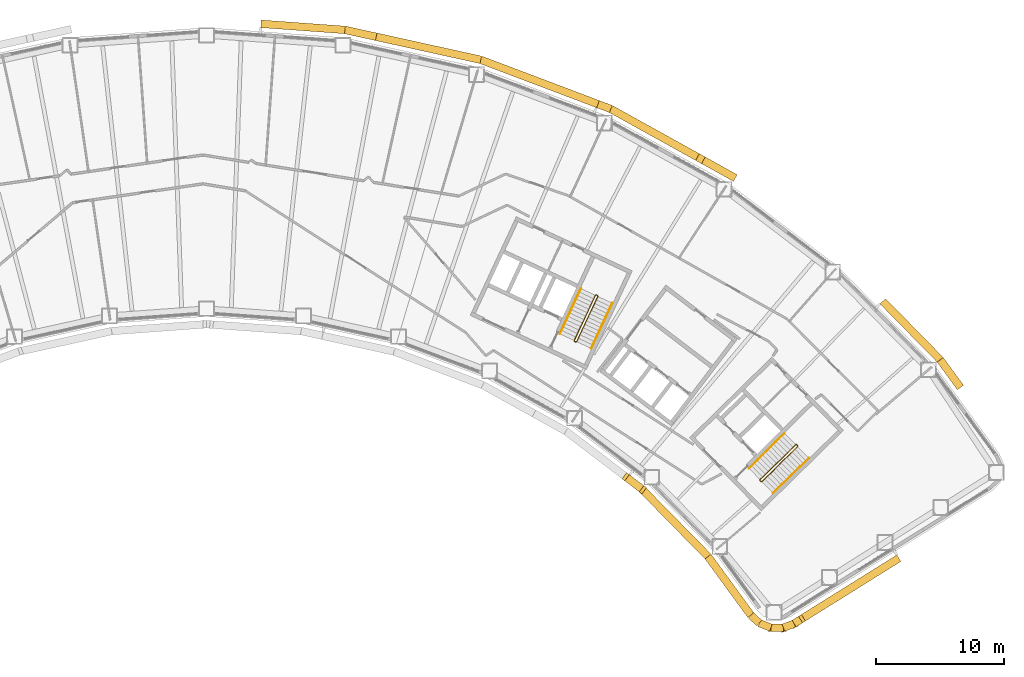
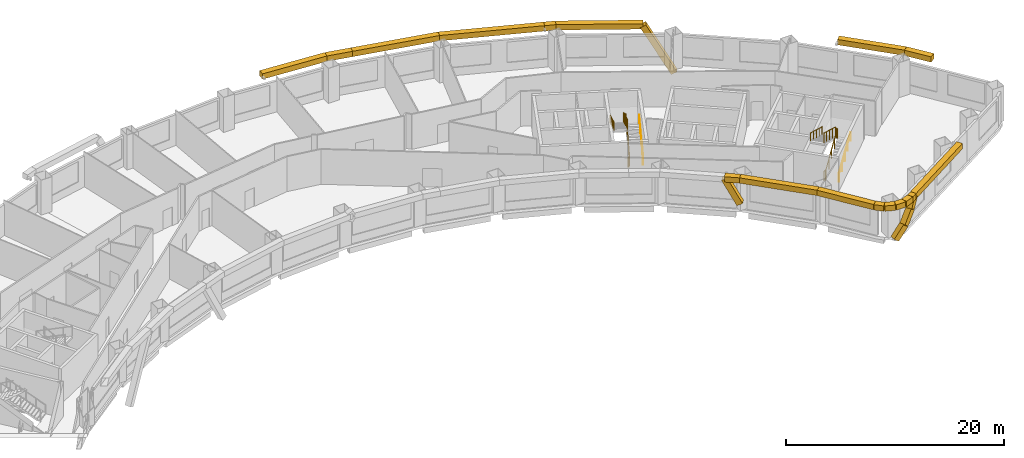
# One storey, part 14 of 15: 22 coverings, 6 railings.
"""IFC4 building model written with IfcOpenShell, lengths in metres."""

import ifcopenshell
import ifcopenshell.guid

model = None  # the IFC model being written
_history = None  # IfcOwnerHistory: only IFC2X3 demands one
_inside = {}  # id of a spatial element -> (the spatial element, [elements in it])
_under = {}  # id of a project, library or spatial element -> (it, [spatial elements below it])
_declared = {}  # id of a project -> (the project, [libraries it declares])
_typed = {}  # id of a type object -> (the type object, [elements of that type])
_made_of = {}  # id of a material, layer set ... -> (it, [elements and type objects made of it])


def new_model(schema):
    """Start an empty IFC model of exactly this schema.

    Asked for "IFC4X3", IfcOpenShell would pick the latest addendum, in which some entities
    have other attributes; the version numbers below select the first issue.
    IFC2X3 requires an IfcOwnerHistory on every rooted entity: one is made here for all.
    """
    global model, _history
    if schema == "IFC4X3":
        model = ifcopenshell.file(schema_version=(4, 3, 0, 0))
    else:
        model = ifcopenshell.file(schema=schema)
    _inside.clear()
    _under.clear()
    _declared.clear()
    _typed.clear()
    _made_of.clear()
    _history = None
    if model.schema == "IFC2X3":
        org = make("IfcOrganization", Name="unknown")
        user = make(
            "IfcPersonAndOrganization",
            ThePerson=make("IfcPerson", FamilyName="unknown"),
            TheOrganization=org,
        )
        app = make(
            "IfcApplication",
            ApplicationDeveloper=org,
            Version="unknown",
            ApplicationFullName="unknown",
            ApplicationIdentifier="unknown",
        )
        _history = make(
            "IfcOwnerHistory",
            OwningUser=user,
            OwningApplication=app,
            ChangeAction="ADDED",
            CreationDate=0,
        )
    return model


def make(cls, **values):
    """One entity of the class cls with the attributes given. An attribute that is None is left unset."""
    return model.create_entity(
        cls, **{name: value for name, value in values.items() if value is not None}
    )


def rooted(cls, **values):
    """An entity with a GlobalId (a new one), such as an element, a storey or a relation."""
    return make(cls, GlobalId=ifcopenshell.guid.new(), OwnerHistory=_history, **values)


def si_unit(unit_type, name, prefix=None):
    """IfcSIUnit, for example si_unit("LENGTHUNIT", "METRE", prefix="MILLI")."""
    return make("IfcSIUnit", UnitType=unit_type, Prefix=prefix, Name=name)


def assignment(units):
    """IfcUnitAssignment: the units of a project."""
    return None if units is None else make("IfcUnitAssignment", Units=units)


def point(xyz):
    """IfcCartesianPoint."""
    return None if xyz is None else make("IfcCartesianPoint", Coordinates=xyz)


def direction(xyz):
    """IfcDirection."""
    return None if xyz is None else make("IfcDirection", DirectionRatios=xyz)


def frame(location, z_axis=None, x_axis=None):
    """IfcAxis2Placement3D, a coordinate frame: its origin and axes. An axis left out is left unset."""
    return make(
        "IfcAxis2Placement3D",
        Location=point(location),
        Axis=direction(z_axis),
        RefDirection=direction(x_axis),
    )


def frame_2d(location, x_axis=None):
    """IfcAxis2Placement2D, a coordinate frame in the plane: its origin and x axis."""
    return make(
        "IfcAxis2Placement2D", Location=point(location), RefDirection=direction(x_axis)
    )


def origin():
    """The frame at (0, 0, 0) with its axes left unset."""
    return frame((0.0, 0.0, 0.0))


def origin_2d():
    """The frame at (0, 0) in the plane with its x axis left unset."""
    return frame_2d((0.0, 0.0))


def place(relative_to, where):
    """IfcLocalPlacement: puts the frame where relative to a parent placement (None: the world)."""
    return make(
        "IfcLocalPlacement", PlacementRelTo=relative_to, RelativePlacement=where
    )


def context(
    kind, dimensions, precision=None, world=None, true_north=None, identifier=None
):
    """IfcGeometricRepresentationContext, for example the 3D "Model" context."""
    return make(
        "IfcGeometricRepresentationContext",
        ContextIdentifier=identifier,
        ContextType=kind,
        CoordinateSpaceDimension=dimensions,
        Precision=precision,
        WorldCoordinateSystem=world,
        TrueNorth=true_north,
    )


def subcontext(parent, identifier, kind, view, scale=None):
    """IfcGeometricRepresentationSubContext, for example "Body" below "Model"."""
    return make(
        "IfcGeometricRepresentationSubContext",
        ContextIdentifier=identifier,
        ContextType=kind,
        ParentContext=parent,
        TargetScale=scale,
        TargetView=view,
    )


def project(units=None, contexts=None):
    """IfcProject with its units and contexts."""
    return rooted(
        "IfcProject",
        Name="project",
        RepresentationContexts=contexts,
        UnitsInContext=assignment(units),
    )


def spatial(cls, under=None, at=None, **own):
    """A site, building, storey or space (cls), placed at a placement, below another one or the project."""
    s = rooted(cls, ObjectPlacement=at, **own)
    if under is not None:
        _under.setdefault(under.id(), (under, []))[1].append(s)
    return s


def profile(cls, at=None, kind="AREA", **sizes):
    """A parametric profile (cls). Its sizes go by their IFC names, for example OverallWidth=200.0."""
    return make(cls, ProfileType=kind, Position=at, **sizes)


def rectangle(**sizes):
    """IfcRectangleProfileDef."""
    return profile("IfcRectangleProfileDef", **sizes)


def circle(**sizes):
    """IfcCircleProfileDef."""
    return profile("IfcCircleProfileDef", **sizes)


def extrude(swept, where, along, depth):
    """IfcExtrudedAreaSolid: the profile swept, set in the frame where, extruded along a direction by depth."""
    return make(
        "IfcExtrudedAreaSolid",
        SweptArea=swept,
        Position=where,
        ExtrudedDirection=direction(along),
        Depth=depth,
    )


def shape(context_of_items, identifier, shape_type, items):
    """IfcShapeRepresentation: the items that make up one representation, for example the "Body"."""
    return make(
        "IfcShapeRepresentation",
        ContextOfItems=context_of_items,
        RepresentationIdentifier=identifier,
        RepresentationType=shape_type,
        Items=items,
    )


def material(Name=None, Category=None):
    """IfcMaterial."""
    return make("IfcMaterial", Name=Name, Category=Category)


def material_profile(
    of_material, cross_section, Name=None, Category=None, Priority=None
):
    """IfcMaterialProfile: a cross section and its material."""
    return make(
        "IfcMaterialProfile",
        Name=Name,
        Material=of_material,
        Profile=cross_section,
        Priority=Priority,
        Category=Category,
    )


def profile_set(profiles, Name=None, composite=None):
    """IfcMaterialProfileSet."""
    return make(
        "IfcMaterialProfileSet",
        Name=Name,
        MaterialProfiles=profiles,
        CompositeProfile=composite,
    )


def made_of(thing, what):
    """Note that an element or type object is made of a material, layer set ...; save() writes the relation."""
    if what is not None:
        _made_of.setdefault(what.id(), (what, []))[1].append(thing)
    return thing


def type_object(cls, material=None, **own):
    """A type object (cls), such as IfcWallType, which elements share."""
    return made_of(rooted(cls, **own), material)


def element(
    cls,
    number,
    at=None,
    inside=None,
    cuts=None,
    type_object=None,
    material=None,
    context=None,
    identifier="Body",
    shape_type=None,
    held_by="IfcProductDefinitionShape",
    body=None,
    shapes=None,
    **own,
):
    """One element of the class cls, such as IfcWall. Its Tag is "e" and its number.

    at: its placement. inside: the storey or other place that contains it. cuts: it is an
    opening in that element (IfcRelVoidsElement). A single representation is given by context,
    identifier, shape_type and body (its items); several are given by shapes. held_by: the class
    of the entity that holds the representations. save() writes the other relations.
    """
    e = rooted(cls, Tag="e%d" % number, ObjectPlacement=at, **own)
    if body is not None:
        shapes = [shape(context, identifier, shape_type, body)]
    if shapes is not None:
        e.Representation = make(held_by, Representations=shapes)
    if inside is not None:
        _inside.setdefault(inside.id(), (inside, []))[1].append(e)
    if cuts is not None:
        rooted(
            "IfcRelVoidsElement", RelatingBuildingElement=cuts, RelatedOpeningElement=e
        )
    if type_object is not None:
        _typed.setdefault(type_object.id(), (type_object, []))[1].append(e)
    return made_of(e, material)


def aggregate(whole, parts):
    """IfcRelAggregates: a whole, such as a stair, and the parts it consists of."""
    return rooted("IfcRelAggregates", RelatingObject=whole, RelatedObjects=parts)


def save(model, path):
    """Write the relations noted so far, then the file.

    IfcRelAggregates (storeys below a building ...), IfcRelContainedInSpatialStructure (elements
    in a storey), IfcRelDefinesByType, IfcRelAssociatesMaterial and IfcRelDeclares: one each for
    every whole, place, type object, material and project.
    """
    for whole, parts in _under.values():
        aggregate(whole, parts)
    for where, things in _inside.values():
        rooted(
            "IfcRelContainedInSpatialStructure",
            RelatedElements=things,
            RelatingStructure=where,
        )
    for kind, things in _typed.values():
        rooted("IfcRelDefinesByType", RelatedObjects=things, RelatingType=kind)
    for what, things in _made_of.values():
        rooted("IfcRelAssociatesMaterial", RelatedObjects=things, RelatingMaterial=what)
    for by, libraries in _declared.values():
        rooted("IfcRelDeclares", RelatingContext=by, RelatedDefinitions=libraries)
    model.write(path)


model = new_model("IFC4")

# Units and contexts
model_context = context("Model", 3, precision=1e-05, world=origin(), true_north=direction((0.0, 1.0)))
body_context = subcontext(model_context, "Body", "Model", "MODEL_VIEW")
ifc_project = project(units=[si_unit("LENGTHUNIT", "METRE"), si_unit("AREAUNIT", "SQUARE_METRE"), si_unit("VOLUMEUNIT", "CUBIC_METRE"), si_unit("PLANEANGLEUNIT", "RADIAN"), si_unit("MASSUNIT", "GRAM", prefix="KILO")], contexts=[model_context])

# Site, building, storey
site_placement = place(None, origin())
site = spatial("IfcSite", under=ifc_project, at=site_placement, CompositionType="ELEMENT")
building_placement = place(site_placement, origin())
building = spatial("IfcBuilding", under=site, at=building_placement, Name="Tuul Gate Civic Tower", CompositionType="ELEMENT")
storey_placement = place(building_placement, frame((0.0, 0.0, 78.0)))
storey = spatial("IfcBuildingStorey", under=building, at=storey_placement, Name="Level 17", CompositionType="ELEMENT", Elevation=78.0)

# Railings
ifc_material_1 = material(Name="Painted steel", Category="steel")
railing_type_1 = type_object("IfcRailingType", Name="Stair guard", PredefinedType="GUARDRAIL", material=ifc_material_1)
railing_1_placement = place(storey_placement, frame((48.10546875, -16.134765625, 0.0)))
element("IfcRailing", 1, at=railing_1_placement, inside=storey, type_object=railing_type_1, Name="Level 17 ST-3 stair guard 1", PredefinedType="GUARDRAIL", context=body_context, shape_type="SweptSolid", body=[
    extrude(circle(Radius=0.02392578125, at=origin_2d()), frame((0.0, 0.0, 1.076171875), z_axis=(-0.698506948293, 0.715603272202, 0.0), x_axis=(-0.715603272202, -0.698506948293, 0.0)), (0.0, 0.0, 1.0), 0.099853515625),
    extrude(circle(Radius=0.02392578125, at=origin_2d()), frame((-0.06982421875, 0.071533203125, 1.076171875), z_axis=(0.645446321009, -0.331687692741, 0.688027849131), x_axis=(0.457068866502, 0.889431307788, 0.0)), (0.0, 0.0, 1.0), 0.2177734375),
    extrude(circle(Radius=0.02392578125, at=origin_2d()), frame((0.07080078125, -0.000732421875, 1.22607421875), z_axis=(0.638715268259, 0.626117886127, 0.447235059857), x_axis=(-0.700029477518, 0.714113947914, 0.0)), (0.0, 0.0, 1.0), 4.360595703125),
    extrude(circle(Radius=0.02392578125, at=origin_2d()), frame((2.85595703125, 2.7294921875, 3.17626953125), z_axis=(0.010380063588, 0.999946125689, 0.0), x_axis=(-0.999946125689, 0.010380063588, 0.0)), (0.0, 0.0, 1.0), 0.070556640625),
    extrude(circle(Radius=0.02392578125, at=origin_2d()), frame((2.856689453125, 2.800048828125, 3.17626953125), z_axis=(-0.699754442181, 0.714383454909, 0.0), x_axis=(-0.714383454909, -0.699754442181, 0.0)), (0.0, 0.0, 1.0), 0.10009765625),
    extrude(circle(Radius=0.02392578125, at=origin_2d()), frame((2.78662109375, 2.87158203125, 3.17626953125), z_axis=(-0.427069033481, 0.004417955519, 0.904208229508), x_axis=(-0.010344274102, -0.999946496565, 0.0)), (0.0, 0.0, 1.0), 0.165771484375),
    extrude(circle(Radius=0.02392578125, at=origin_2d()), frame((2.7158203125, 2.872314453125, 3.326171875), z_axis=(-0.638731261263, -0.626133563701, 0.447190268558), x_axis=(0.700029477518, -0.714113947914, 0.0)), (0.0, 0.0, 1.0), 4.3603515625),
    extrude(circle(Radius=0.02099609375, at=origin_2d()), origin(), (0.0, 0.0, 1.0), 1.052001953125),
    extrude(circle(Radius=0.02099609375, at=origin_2d()), frame((-0.06982421875, 0.071533203125, 0.0)), (0.0, 0.0, 1.0), 1.052001953125),
    extrude(circle(Radius=0.02099609375, at=origin_2d()), frame((0.07080078125, -0.000732421875, 0.14990234375)), (0.0, 0.0, 1.0), 1.052001953125),
    extrude(circle(Radius=0.02099609375, at=origin_2d()), frame((0.76708984375, 0.681884765625, 0.637451171875)), (0.0, 0.0, 1.0), 1.052001953125),
    extrude(circle(Radius=0.02099609375, at=origin_2d()), frame((1.46337890625, 1.3642578125, 1.125)), (0.0, 0.0, 1.0), 1.052001953125),
    extrude(circle(Radius=0.02099609375, at=origin_2d()), frame((2.15966796875, 2.046875, 1.612548828125)), (0.0, 0.0, 1.0), 1.052001953125),
    extrude(circle(Radius=0.02099609375, at=origin_2d()), frame((2.85595703125, 2.7294921875, 2.10009765625)), (0.0, 0.0, 1.0), 1.052001953125),
    extrude(circle(Radius=0.02099609375, at=origin_2d()), frame((2.856689453125, 2.800048828125, 2.10009765625)), (0.0, 0.0, 1.0), 1.052001953125),
    extrude(circle(Radius=0.02099609375, at=origin_2d()), frame((2.78662109375, 2.87158203125, 2.10009765625)), (0.0, 0.0, 1.0), 1.052001953125),
    extrude(circle(Radius=0.02099609375, at=origin_2d()), frame((2.7158203125, 2.872314453125, 2.25)), (0.0, 0.0, 1.0), 1.052001953125),
    extrude(circle(Radius=0.02099609375, at=origin_2d()), frame((2.01953125, 2.189697265625, 2.737548828125)), (0.0, 0.0, 1.0), 1.052001953125),
    extrude(circle(Radius=0.02099609375, at=origin_2d()), frame((1.3232421875, 1.50732421875, 3.22509765625)), (0.0, 0.0, 1.0), 1.052001953125),
    extrude(circle(Radius=0.02099609375, at=origin_2d()), frame((0.626953125, 0.82470703125, 3.71240234375)), (0.0, 0.0, 1.0), 1.052001953125),
    extrude(circle(Radius=0.02099609375, at=origin_2d()), frame((-0.0693359375, 0.14208984375, 4.199951171875)), (0.0, 0.0, 1.0), 1.052001953125),
])
railing_2_placement = place(storey_placement, frame((33.645751953125, -5.238525390625, 0.0)))
element("IfcRailing", 2, at=railing_2_placement, inside=storey, type_object=railing_type_1, Name="Level 17 ST-4 stair guard 1", PredefinedType="GUARDRAIL", context=body_context, shape_type="SweptSolid", body=[
    extrude(circle(Radius=0.02392578125, at=origin_2d()), frame((0.0, 0.0, 1.076171875), z_axis=(-0.906307919131, 0.422617978463, 0.0), x_axis=(-0.422617978463, -0.906307919131, 0.0)), (0.0, 0.0, 1.0), 0.099853515625),
    extrude(circle(Radius=0.02392578125, at=origin_2d()), frame((-0.090576171875, 0.042236328125, 1.076171875), z_axis=(0.720735628292, -0.082946246491, 0.688229666829), x_axis=(0.114330889033, 0.993442724979, 0.0)), (0.0, 0.0, 1.0), 0.2177734375),
    extrude(circle(Radius=0.02392578125, at=origin_2d()), frame((0.06640625, 0.024169921875, 1.22607421875), z_axis=(0.377937439636, 0.810633814971, 0.447253965602), x_axis=(-0.906336612539, 0.422556439746, 0.0)), (0.0, 0.0, 1.0), 4.3603515625),
    extrude(circle(Radius=0.02392578125, at=origin_2d()), frame((1.71435546875, 3.558837890625, 3.17626953125), z_axis=(-0.342020437038, 0.939692513883, 0.0), x_axis=(-0.939692513883, -0.342020437038, 0.0)), (0.0, 0.0, 1.0), 0.070556640625),
    extrude(circle(Radius=0.02392578125, at=origin_2d()), frame((1.690185546875, 3.625244140625, 3.17626953125), z_axis=(-0.906307919131, 0.422617978463, 0.0), x_axis=(-0.422617978463, -0.906307919131, 0.0)), (0.0, 0.0, 1.0), 0.099853515625),
    extrude(circle(Radius=0.02392578125, at=origin_2d()), frame((1.599609375, 3.66748046875, 3.17626953125), z_axis=(-0.40070210376, -0.145843780413, 0.904526072458), x_axis=(0.342020437038, -0.939692513883, 0.0)), (0.0, 0.0, 1.0), 0.165771484375),
    extrude(circle(Radius=0.02392578125, at=origin_2d()), frame((1.533203125, 3.643310546875, 3.326171875), z_axis=(-0.377946903738, -0.810654114417, 0.447209173356), x_axis=(0.906336612539, -0.422556439746, 0.0)), (0.0, 0.0, 1.0), 4.3603515625),
    extrude(circle(Radius=0.02099609375, at=origin_2d()), origin(), (0.0, 0.0, 1.0), 1.052001953125),
    extrude(circle(Radius=0.02099609375, at=origin_2d()), frame((-0.090576171875, 0.042236328125, 0.0)), (0.0, 0.0, 1.0), 1.052001953125),
    extrude(circle(Radius=0.02099609375, at=origin_2d()), frame((0.06640625, 0.024169921875, 0.14990234375)), (0.0, 0.0, 1.0), 1.052001953125),
    extrude(circle(Radius=0.02099609375, at=origin_2d()), frame((0.478515625, 0.90771484375, 0.637451171875)), (0.0, 0.0, 1.0), 1.052001953125),
    extrude(circle(Radius=0.02099609375, at=origin_2d()), frame((0.890380859375, 1.79150390625, 1.125)), (0.0, 0.0, 1.0), 1.052001953125),
    extrude(circle(Radius=0.02099609375, at=origin_2d()), frame((1.30224609375, 2.67529296875, 1.612548828125)), (0.0, 0.0, 1.0), 1.052001953125),
    extrude(circle(Radius=0.02099609375, at=origin_2d()), frame((1.71435546875, 3.558837890625, 2.10009765625)), (0.0, 0.0, 1.0), 1.052001953125),
    extrude(circle(Radius=0.02099609375, at=origin_2d()), frame((1.690185546875, 3.625244140625, 2.10009765625)), (0.0, 0.0, 1.0), 1.052001953125),
    extrude(circle(Radius=0.02099609375, at=origin_2d()), frame((1.599609375, 3.66748046875, 2.10009765625)), (0.0, 0.0, 1.0), 1.052001953125),
    extrude(circle(Radius=0.02099609375, at=origin_2d()), frame((1.533203125, 3.643310546875, 2.25)), (0.0, 0.0, 1.0), 1.052001953125),
    extrude(circle(Radius=0.02099609375, at=origin_2d()), frame((1.12109375, 2.759765625, 2.737548828125)), (0.0, 0.0, 1.0), 1.052001953125),
    extrude(circle(Radius=0.02099609375, at=origin_2d()), frame((0.709228515625, 1.8759765625, 3.22509765625)), (0.0, 0.0, 1.0), 1.052001953125),
    extrude(circle(Radius=0.02099609375, at=origin_2d()), frame((0.29736328125, 0.9921875, 3.71240234375)), (0.0, 0.0, 1.0), 1.052001953125),
    extrude(circle(Radius=0.02099609375, at=origin_2d()), frame((-0.11474609375, 0.108642578125, 4.199951171875)), (0.0, 0.0, 1.0), 1.052001953125),
])
ifc_material_2 = material(Name="Painted steel", Category="steel")
railing_type_2 = type_object("IfcRailingType", Name="Stair handrail", PredefinedType="HANDRAIL", material=ifc_material_2)
railing_3_placement = place(storey_placement, frame((49.05126953125, -17.028076171875, 0.14990234375)))
element("IfcRailing", 3, at=railing_3_placement, inside=storey, type_object=railing_type_2, Name="Level 17 ST-3 stair handrail 1", PredefinedType="HANDRAIL", context=body_context, shape_type="SweptSolid", body=[
    extrude(circle(Radius=0.02392578125, at=origin_2d()), frame((0.0, 0.0, 0.8759765625), z_axis=(0.638737658801, 0.626083844733, 0.447250737947), x_axis=(-0.699997553204, 0.714145241186, 0.0)), (0.0, 0.0, 1.0), 4.3603515625),
    extrude(circle(Radius=0.02099609375, at=origin_2d()), origin(), (0.0, 0.0, 1.0), 0.851806640625),
    extrude(circle(Radius=0.02099609375, at=origin_2d()), frame((0.6962890625, 0.6826171875, 0.487548828125)), (0.0, 0.0, 1.0), 0.851806640625),
    extrude(circle(Radius=0.02099609375, at=origin_2d()), frame((1.392578125, 1.364990234375, 0.97509765625)), (0.0, 0.0, 1.0), 0.851806640625),
    extrude(circle(Radius=0.02099609375, at=origin_2d()), frame((2.0888671875, 2.04736328125, 1.462646484375)), (0.0, 0.0, 1.0), 0.851806640625),
    extrude(circle(Radius=0.02099609375, at=origin_2d()), frame((2.78515625, 2.72998046875, 1.9501953125)), (0.0, 0.0, 1.0), 0.851806640625),
])
railing_4_placement = place(storey_placement, frame((49.9462890625, -12.369873046875, 2.25)))
element("IfcRailing", 4, at=railing_4_placement, inside=storey, type_object=railing_type_2, Name="Level 17 ST-3 stair handrail 2", PredefinedType="HANDRAIL", context=body_context, shape_type="SweptSolid", body=[
    extrude(circle(Radius=0.02392578125, at=origin_2d()), frame((0.0, 0.0, 0.8759765625), z_axis=(-0.638753653487, -0.626099522554, 0.447205945863), x_axis=(0.699997553204, -0.714145241186, 0.0)), (0.0, 0.0, 1.0), 4.3603515625),
    extrude(circle(Radius=0.02099609375, at=origin_2d()), origin(), (0.0, 0.0, 1.0), 0.851806640625),
    extrude(circle(Radius=0.02099609375, at=origin_2d()), frame((-0.6962890625, -0.6826171875, 0.487548828125)), (0.0, 0.0, 1.0), 0.851806640625),
    extrude(circle(Radius=0.02099609375, at=origin_2d()), frame((-1.392578125, -1.364990234375, 0.97509765625)), (0.0, 0.0, 1.0), 0.851806640625),
    extrude(circle(Radius=0.02099609375, at=origin_2d()), frame((-2.0888671875, -2.04736328125, 1.46240234375)), (0.0, 0.0, 1.0), 0.851806640625),
    extrude(circle(Radius=0.02099609375, at=origin_2d()), frame((-2.78515625, -2.72998046875, 1.949951171875)), (0.0, 0.0, 1.0), 0.851806640625),
])
railing_5_placement = place(storey_placement, frame((34.844970703125, -5.74267578125, 0.14990234375)))
element("IfcRailing", 5, at=railing_5_placement, inside=storey, type_object=railing_type_2, Name="Level 17 ST-4 stair handrail 1", PredefinedType="HANDRAIL", context=body_context, shape_type="SweptSolid", body=[
    extrude(circle(Radius=0.02392578125, at=origin_2d()), frame((0.0, 0.0, 0.8759765625), z_axis=(0.377985431313, 0.810616660428, 0.447244500863), x_axis=(-0.906312636903, 0.422607861012, 0.0)), (0.0, 0.0, 1.0), 4.3603515625),
    extrude(circle(Radius=0.02099609375, at=origin_2d()), origin(), (0.0, 0.0, 1.0), 0.851806640625),
    extrude(circle(Radius=0.02099609375, at=origin_2d()), frame((0.412109375, 0.8837890625, 0.487548828125)), (0.0, 0.0, 1.0), 0.851806640625),
    extrude(circle(Radius=0.02099609375, at=origin_2d()), frame((0.82421875, 1.767333984375, 0.97509765625)), (0.0, 0.0, 1.0), 0.851806640625),
    extrude(circle(Radius=0.02099609375, at=origin_2d()), frame((1.236083984375, 2.65087890625, 1.462646484375)), (0.0, 0.0, 1.0), 0.851806640625),
    extrude(circle(Radius=0.02099609375, at=origin_2d()), frame((1.648193359375, 3.53466796875, 1.9501953125)), (0.0, 0.0, 1.0), 0.851806640625),
])
railing_6_placement = place(storey_placement, frame((34.046142578125, -1.06689453125, 2.25)))
element("IfcRailing", 6, at=railing_6_placement, inside=storey, type_object=railing_type_2, Name="Level 17 ST-4 stair handrail 2", PredefinedType="HANDRAIL", context=body_context, shape_type="SweptSolid", body=[
    extrude(circle(Radius=0.02392578125, at=origin_2d()), frame((0.0, 0.0, 0.8759765625), z_axis=(-0.377994896215, -0.810636958585, 0.447199709091), x_axis=(0.906312636903, -0.422607861012, 0.0)), (0.0, 0.0, 1.0), 4.3603515625),
    extrude(circle(Radius=0.02099609375, at=origin_2d()), origin(), (0.0, 0.0, 1.0), 0.851806640625),
    extrude(circle(Radius=0.02099609375, at=origin_2d()), frame((-0.412109375, -0.8837890625, 0.487548828125)), (0.0, 0.0, 1.0), 0.851806640625),
    extrude(circle(Radius=0.02099609375, at=origin_2d()), frame((-0.82421875, -1.767333984375, 0.97509765625)), (0.0, 0.0, 1.0), 0.851806640625),
    extrude(circle(Radius=0.02099609375, at=origin_2d()), frame((-1.236083984375, -2.65087890625, 1.46240234375)), (0.0, 0.0, 1.0), 0.851806640625),
    extrude(circle(Radius=0.02099609375, at=origin_2d()), frame((-1.648193359375, -3.53466796875, 1.949951171875)), (0.0, 0.0, 1.0), 0.851806640625),
])

# Coverings
ifc_material_3 = material(Name="Terracotta baguette", Category="masonry")
ifc_material_profile = material_profile(ifc_material_3, rectangle(XDim=0.60009765625, YDim=0.60009765625, at=origin_2d()), Name="Terracotta baguette screen frame")
ifc_profile_set = profile_set([ifc_material_profile], Name="Terracotta baguette")
covering_type = type_object("IfcCoveringType", Name="Terracotta baguette screen frame", PredefinedType="CLADDING", material=ifc_profile_set)
covering_1_placement = place(storey_placement, frame((63.67919921875, -8.7958984375, 3.85009765625), z_axis=(-0.589870466204, 0.80749788427, 0.0), x_axis=(-0.80749788427, -0.589870466204, 0.0)))
element("IfcCovering", 7, at=covering_1_placement, inside=storey, type_object=covering_type, Name="Baguette 23", PredefinedType="CLADDING", context=body_context, shape_type="SweptSolid", body=[
    extrude(rectangle(XDim=0.60009765625, YDim=0.60009765625, at=origin_2d()), origin(), (0.0, 0.0, 1.0), 2.68115234375),
])
covering_2_placement = place(storey_placement, frame((62.09765625, -6.630859375, 3.85009765625), z_axis=(-0.700019961155, 0.714123276462, 0.0), x_axis=(-0.714123276462, -0.700019961155, 0.0)))
element("IfcCovering", 8, at=covering_2_placement, inside=storey, type_object=covering_type, Name="Baguette 24", PredefinedType="CLADDING", context=body_context, shape_type="SweptSolid", body=[
    extrude(rectangle(XDim=0.60009765625, YDim=0.60009765625, at=origin_2d()), origin(), (0.0, 0.0, 1.0), 6.405029296875),
])
covering_3_placement = place(storey_placement, frame((45.8681640625, 7.691650390625, -1.423095703125), z_axis=(-0.415569779723, 0.23037418923, 0.87990311462), x_axis=(-0.484841977451, -0.874601770465, 0.0)))
element("IfcCovering", 9, at=covering_3_placement, inside=storey, type_object=covering_type, Name="Baguette 40", PredefinedType="CLADDING", context=body_context, shape_type="SweptSolid", body=[
    extrude(rectangle(XDim=0.60009765625, YDim=0.60009765625, at=origin_2d()), origin(), (0.0, 0.0, 1.0), 5.992919921875),
])
covering_4_placement = place(storey_placement, frame((43.377685546875, 9.072265625, 3.85009765625), z_axis=(-0.874607295517, 0.484832010731, 0.0), x_axis=(-0.484832010731, -0.874607295517, 0.0)))
element("IfcCovering", 10, at=covering_4_placement, inside=storey, type_object=covering_type, Name="Baguette 47", PredefinedType="CLADDING", context=body_context, shape_type="SweptSolid", body=[
    extrude(rectangle(XDim=0.60009765625, YDim=0.60009765625, at=origin_2d()), origin(), (0.0, 0.0, 1.0), 8.0029296875),
])
covering_5_placement = place(storey_placement, frame((36.378173828125, 12.952392578125, 3.85009765625), z_axis=(-0.935406677507, 0.353573680688, 0.0), x_axis=(-0.353573680688, -0.935406677507, 0.0)))
element("IfcCovering", 11, at=covering_5_placement, inside=storey, type_object=covering_type, Name="Baguette 48", PredefinedType="CLADDING", context=body_context, shape_type="SweptSolid", body=[
    extrude(rectangle(XDim=0.60009765625, YDim=0.60009765625, at=origin_2d()), origin(), (0.0, 0.0, 1.0), 1.069580078125),
])
covering_6_placement = place(storey_placement, frame((18.061279296875, 18.590576171875, 3.85009765625), z_axis=(-0.976555025342, 0.21526793184, 0.0), x_axis=(-0.21526793184, -0.976555025342, 0.0)))
element("IfcCovering", 12, at=covering_6_placement, inside=storey, type_object=covering_type, Name="Baguette 65", PredefinedType="CLADDING", context=body_context, shape_type="SweptSolid", body=[
    extrude(rectangle(XDim=0.60009765625, YDim=0.60009765625, at=origin_2d()), origin(), (0.0, 0.0, 1.0), 2.48828125),
])
covering_7_placement = place(storey_placement, frame((15.63134765625, 19.126220703125, 3.85009765625), z_axis=(-0.997387816704, 0.07223256253, 0.0), x_axis=(-0.07223256253, -0.997387816704, 0.0)))
element("IfcCovering", 13, at=covering_7_placement, inside=storey, type_object=covering_type, Name="Baguette 66", PredefinedType="CLADDING", context=body_context, shape_type="SweptSolid", body=[
    extrude(rectangle(XDim=0.60009765625, YDim=0.60009765625, at=origin_2d()), origin(), (0.0, 0.0, 1.0), 6.583984375),
])
covering_8_placement = place(storey_placement, frame((37.649169921875, -15.8388671875, 3.85009765625), z_axis=(0.37081212659, -0.282378445373, -0.884737690145), x_axis=(0.60584625249, 0.795581748372, 0.0)))
element("IfcCovering", 14, at=covering_8_placement, inside=storey, type_object=covering_type, Name="Baguette 246", PredefinedType="CLADDING", context=body_context, shape_type="SweptSolid", body=[
    extrude(rectangle(XDim=0.60009765625, YDim=0.60009765625, at=origin_2d()), origin(), (0.0, 0.0, 1.0), 3.045166015625),
])
covering_9_placement = place(storey_placement, frame((48.87890625, -27.551513671875, 0.177978515625), z_axis=(0.602872719251, -0.001813605573, 0.797835318357), x_axis=(0.003008259138, 0.999995475178, 0.0)))
element("IfcCovering", 15, at=covering_9_placement, inside=storey, type_object=covering_type, Name="Baguette 267", PredefinedType="CLADDING", context=body_context, shape_type="SweptSolid", body=[
    extrude(rectangle(XDim=0.60009765625, YDim=0.60009765625, at=origin_2d()), origin(), (0.0, 0.0, 1.0), 1.615478515625),
])
covering_10_placement = place(storey_placement, frame((49.852783203125, -27.554443359375, 1.466796875), z_axis=(0.53407853992, 0.208042221945, 0.819437945842), x_axis=(-0.362969067807, 0.931801188997, 0.0)))
element("IfcCovering", 16, at=covering_10_placement, inside=storey, type_object=covering_type, Name="Baguette 268", PredefinedType="CLADDING", context=body_context, shape_type="SweptSolid", body=[
    extrude(rectangle(XDim=0.60009765625, YDim=0.60009765625, at=origin_2d()), origin(), (0.0, 0.0, 1.0), 1.572509765625),
])
covering_11_placement = place(storey_placement, frame((50.692626953125, -27.227294921875, 2.75537109375), z_axis=(0.402447264346, 0.251284145543, 0.880279772356), x_axis=(-0.529626959981, 0.848230678095, 0.0)))
element("IfcCovering", 17, at=covering_11_placement, inside=storey, type_object=covering_type, Name="Baguette 269", PredefinedType="CLADDING", context=body_context, shape_type="SweptSolid", body=[
    extrude(rectangle(XDim=0.60009765625, YDim=0.60009765625, at=origin_2d()), origin(), (0.0, 0.0, 1.0), 1.24365234375),
])
covering_12_placement = place(storey_placement, frame((51.193115234375, -26.914794921875, 3.85009765625), z_axis=(0.848051326016, 0.529914095342, 0.0), x_axis=(-0.529914095342, 0.848051326016, 0.0)))
element("IfcCovering", 18, at=covering_12_placement, inside=storey, type_object=covering_type, Name="Baguette 283", PredefinedType="CLADDING", context=body_context, shape_type="SweptSolid", body=[
    extrude(rectangle(XDim=0.60009765625, YDim=0.60009765625, at=origin_2d()), origin(), (0.0, 0.0, 1.0), 9.052978515625),
])
covering_13_placement = place(storey_placement, frame((35.377685546875, 13.33056640625, 3.85009765625), z_axis=(-0.935341841687, 0.353745161367, 0.0), x_axis=(-0.353745161367, -0.935341841687, 0.0)))
element("IfcCovering", 19, at=covering_13_placement, inside=storey, type_object=covering_type, Name="Baguette 294", PredefinedType="CLADDING", context=body_context, shape_type="SweptSolid", body=[
    extrude(rectangle(XDim=0.60009765625, YDim=0.60009765625, at=origin_2d()), origin(), (0.0, 0.0, 1.0), 9.78173828125),
])
covering_14_placement = place(storey_placement, frame((26.228515625, 16.790771484375, 3.85009765625), z_axis=(-0.97656881378, 0.215205371572, 0.0), x_axis=(-0.215205371572, -0.97656881378, 0.0)))
element("IfcCovering", 20, at=covering_14_placement, inside=storey, type_object=covering_type, Name="Baguette 295", PredefinedType="CLADDING", context=body_context, shape_type="SweptSolid", body=[
    extrude(rectangle(XDim=0.60009765625, YDim=0.60009765625, at=origin_2d()), origin(), (0.0, 0.0, 1.0), 8.36328125),
])
covering_15_placement = place(storey_placement, frame((37.649169921875, -15.8388671875, 3.85009765625), z_axis=(0.795581748372, -0.60584625249, 0.0), x_axis=(0.60584625249, 0.795581748372, 0.0)))
element("IfcCovering", 21, at=covering_15_placement, inside=storey, type_object=covering_type, Name="Baguette 351", PredefinedType="CLADDING", context=body_context, shape_type="SweptSolid", body=[
    extrude(rectangle(XDim=0.60009765625, YDim=0.60009765625, at=origin_2d()), origin(), (0.0, 0.0, 1.0), 1.419189453125),
])
covering_16_placement = place(storey_placement, frame((38.7783203125, -16.69873046875, 3.85009765625), z_axis=(0.700094774279, -0.714049933147, 0.0), x_axis=(0.714049933147, 0.700094774279, 0.0)))
element("IfcCovering", 22, at=covering_16_placement, inside=storey, type_object=covering_type, Name="Baguette 352", PredefinedType="CLADDING", context=body_context, shape_type="SweptSolid", body=[
    extrude(rectangle(XDim=0.60009765625, YDim=0.60009765625, at=origin_2d()), origin(), (0.0, 0.0, 1.0), 7.417724609375),
])
covering_17_placement = place(storey_placement, frame((43.971435546875, -21.995361328125, 3.85009765625), z_axis=(0.589862243157, -0.807503891073, 0.0), x_axis=(0.807503891073, 0.589862243157, 0.0)))
element("IfcCovering", 23, at=covering_17_placement, inside=storey, type_object=covering_type, Name="Baguette 353", PredefinedType="CLADDING", context=body_context, shape_type="SweptSolid", body=[
    extrude(rectangle(XDim=0.60009765625, YDim=0.60009765625, at=origin_2d()), origin(), (0.0, 0.0, 1.0), 5.671630859375),
])
covering_18_placement = place(storey_placement, frame((47.31689453125, -26.5751953125, 3.85009765625), z_axis=(0.729883388516, -0.68357167815, 0.0), x_axis=(0.68357167815, 0.729883388516, 0.0)))
element("IfcCovering", 24, at=covering_18_placement, inside=storey, type_object=covering_type, Name="Baguette 354", PredefinedType="CLADDING", context=body_context, shape_type="SweptSolid", body=[
    extrude(rectangle(XDim=0.60009765625, YDim=0.60009765625, at=origin_2d()), origin(), (0.0, 0.0, 1.0), 0.9013671875),
])
covering_19_placement = place(storey_placement, frame((47.974853515625, -27.19140625, 3.85009765625), z_axis=(0.929012088732, -0.370049373719, 0.0), x_axis=(0.370049373719, 0.929012088732, 0.0)))
element("IfcCovering", 25, at=covering_19_placement, inside=storey, type_object=covering_type, Name="Baguette 355", PredefinedType="CLADDING", context=body_context, shape_type="SweptSolid", body=[
    extrude(rectangle(XDim=0.60009765625, YDim=0.60009765625, at=origin_2d()), origin(), (0.0, 0.0, 1.0), 0.97314453125),
])
covering_20_placement = place(storey_placement, frame((48.87890625, -27.551513671875, 3.85009765625), z_axis=(0.999995475178, -0.003008259138, 0.0), x_axis=(0.003008259138, 0.999995475178, 0.0)))
element("IfcCovering", 26, at=covering_20_placement, inside=storey, type_object=covering_type, Name="Baguette 356", PredefinedType="CLADDING", context=body_context, shape_type="SweptSolid", body=[
    extrude(rectangle(XDim=0.60009765625, YDim=0.60009765625, at=origin_2d()), origin(), (0.0, 0.0, 1.0), 0.973876953125),
])
covering_21_placement = place(storey_placement, frame((49.852783203125, -27.554443359375, 3.85009765625), z_axis=(0.931801188997, 0.362969067807, 0.0), x_axis=(-0.362969067807, 0.931801188997, 0.0)))
element("IfcCovering", 27, at=covering_21_placement, inside=storey, type_object=covering_type, Name="Baguette 357", PredefinedType="CLADDING", context=body_context, shape_type="SweptSolid", body=[
    extrude(rectangle(XDim=0.60009765625, YDim=0.60009765625, at=origin_2d()), origin(), (0.0, 0.0, 1.0), 0.9013671875),
])
covering_22_placement = place(storey_placement, frame((50.692626953125, -27.227294921875, 3.85009765625), z_axis=(0.848230678095, 0.529626959981, 0.0), x_axis=(-0.529626959981, 0.848230678095, 0.0)))
element("IfcCovering", 28, at=covering_22_placement, inside=storey, type_object=covering_type, Name="Baguette 358", PredefinedType="CLADDING", context=body_context, shape_type="SweptSolid", body=[
    extrude(rectangle(XDim=0.60009765625, YDim=0.60009765625, at=origin_2d()), origin(), (0.0, 0.0, 1.0), 0.590087890625),
])

save(model, "model.ifc")
